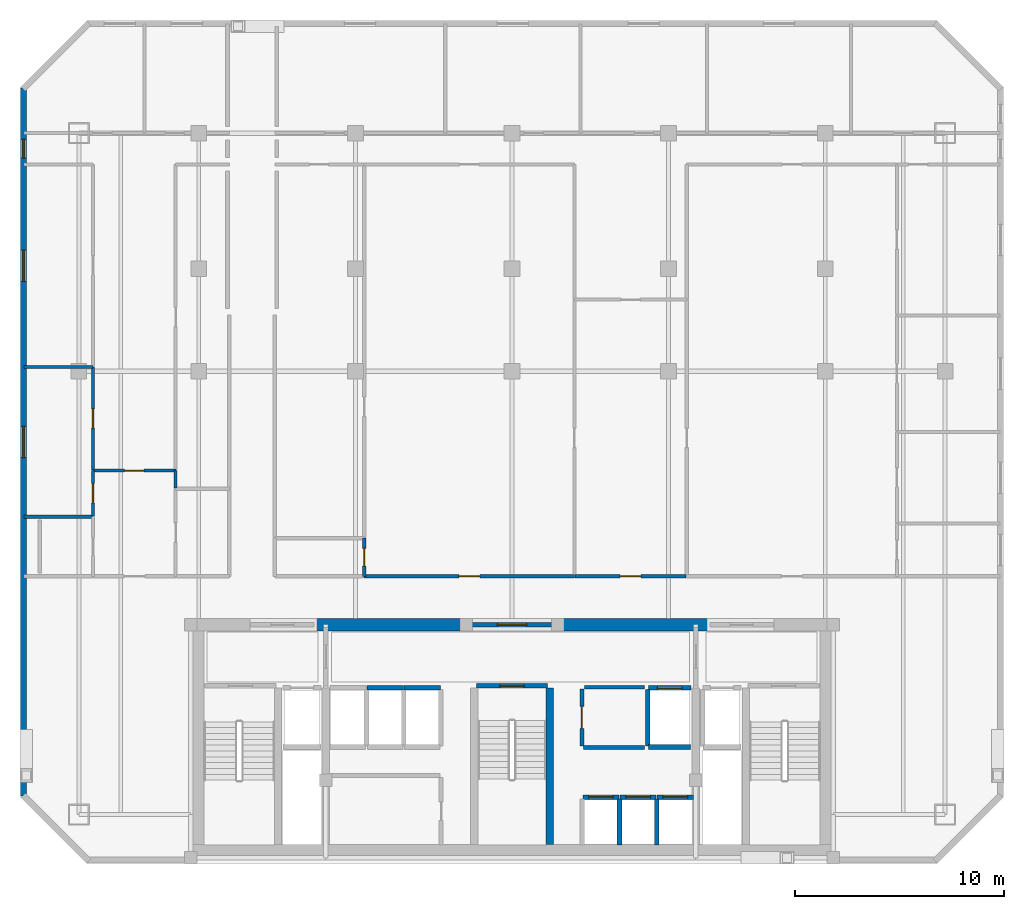
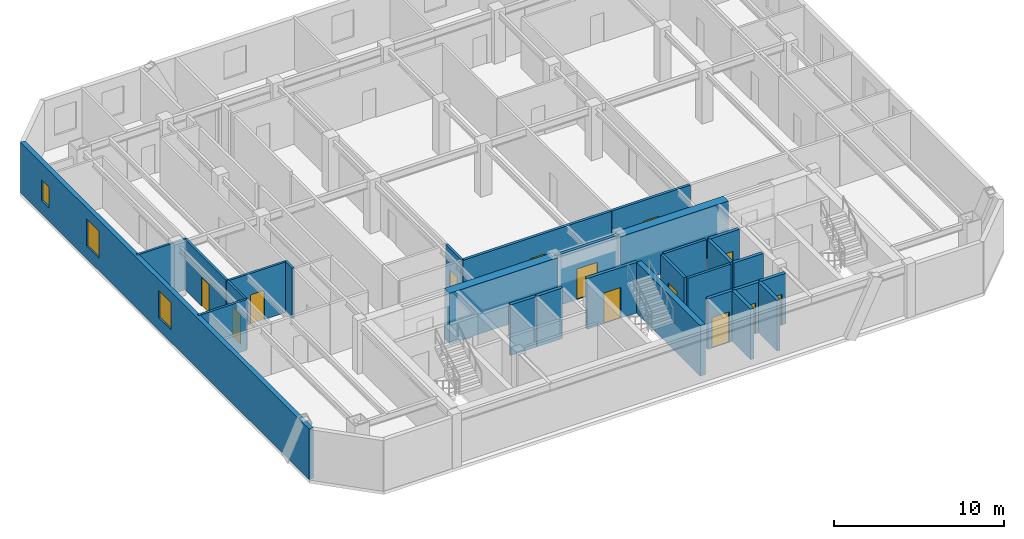
# One storey, part 3 of 7: 28 walls, 13 doors, 3 windows, 16 openings.
"""IFC4 building model written with IfcOpenShell, lengths in metres."""

from ifc_helpers import new_model, si_unit, direction, frame, frame_2d, origin, place, context, subcontext, project, spatial, rectangle, extrude, material, layer, layer_set, type_object, element, fill, save


model = new_model("IFC4")

# Units and contexts
model_context = context("Model", 3, precision=1e-05, world=origin(), true_north=direction((0.0, 1.0)))
body_context = subcontext(model_context, "Body", "Model", "MODEL_VIEW")
ifc_project = project(units=[si_unit("LENGTHUNIT", "METRE"), si_unit("AREAUNIT", "SQUARE_METRE"), si_unit("VOLUMEUNIT", "CUBIC_METRE"), si_unit("PLANEANGLEUNIT", "RADIAN"), si_unit("MASSUNIT", "GRAM", prefix="KILO")], contexts=[model_context])

# Site, building, storey
site_placement = place(None, origin())
site = spatial("IfcSite", under=ifc_project, at=site_placement, CompositionType="ELEMENT")
building_placement = place(site_placement, origin())
building = spatial("IfcBuilding", under=site, at=building_placement, Name="Ventersveld Concourse Tower", CompositionType="ELEMENT")
storey_placement = place(building_placement, frame((0.0, 0.0, 211.85009765625)))
storey = spatial("IfcBuildingStorey", under=building, at=storey_placement, Name="L52", CompositionType="ELEMENT", Elevation=211.85009765625)

# Walls
ifc_material_1 = material(Name="Concrete C50/60", Category="concrete")
ifc_layer_1 = layer(ifc_material_1, 0.35009765625)
ifc_layer_set_1 = layer_set([ifc_layer_1], Name="Concrete C50/60")
wall_type_1 = type_object("IfcWallType", Name="WL-CORE-350U", PredefinedType="SHEAR", material=ifc_layer_set_1)
wall_1_placement = place(storey_placement, frame((30.56005859375, 0.919921875, 0.0), z_axis=(0.0, 0.0, 1.0), x_axis=(0.0, 1.0, 0.0)))
element("IfcWall", 1, at=wall_1_placement, inside=storey, type_object=wall_type_1, Name="L52 Core Internal Shear Web W-ST3-E", PredefinedType="SHEAR", context=body_context, shape_type="SweptSolid", body=[
    extrude(rectangle(XDim=7.5, YDim=0.35009765625, at=frame_2d((3.75, 0.0))), origin(), (0.0, 0.0, 1.0), 3.6298828125),
])
ifc_layer_2 = layer(ifc_material_1, 0.60009765625)
ifc_layer_set_2 = layer_set([ifc_layer_2], Name="Concrete C50/60")
wall_type_2 = type_object("IfcWallType", Name="WL-CORE-600", PredefinedType="SHEAR", material=ifc_layer_set_2)
for number, where, z_axis, x_axis, name in (
    (2, (19.300048828125, 11.449951171875, 0.0), (0.0, 0.0, 1.0), (1.0, 0.0, 0.0), "L52 Rear Core North Shear Wall NML"),
    (3, (30.89990234375, 11.449951171875, 0.0), (0.0, 0.0, 1.0), (1.0, 0.0, 0.0), "L52 Rear Core North Shear Wall NMR"),
):
    element("IfcWall", number, at=place(storey_placement, frame(where, z_axis=z_axis, x_axis=x_axis)), inside=storey, type_object=wall_type_2, Name=name, PredefinedType="SHEAR", context=body_context, shape_type="SweptSolid", body=[
        extrude(rectangle(XDim=7.300048828125, YDim=0.60009765625, at=frame_2d((3.64990234375, 0.0))), origin(), (0.0, 0.0, 1.0), 3.6298828125),
    ])

# Wall, opening, door
ifc_material_2 = material(Name="Fire-rated autoclaved aerated masonry blockwork", Category="masonry")
ifc_layer_3 = layer(ifc_material_2, 0.179931640625)
ifc_layer_set_3 = layer_set([ifc_layer_3], Name="Fire-rated autoclaved aerated masonry blockwork")
wall_type_3 = type_object("IfcWallType", Name="WL-CORR-180", PredefinedType="PARTITIONING", material=ifc_layer_set_3)
wall_2_placement = place(storey_placement, frame((32.10009765625, 5.64990234375, 0.0), z_axis=(0.0, 0.0, 1.0), x_axis=(0.0, 1.0, 0.0)))
wall_2 = element("IfcWall", 4, at=wall_2_placement, inside=storey, type_object=wall_type_3, Name="L52 Core Passage Wall SP-L52-CBAY1", PredefinedType="PARTITIONING", context=body_context, shape_type="SweptSolid", body=[
    extrude(rectangle(XDim=2.72998046875, YDim=0.179931640625, at=frame_2d((1.364990234375, 0.0))), origin(), (0.0, 0.0, 1.0), 3.6298828125),
])
opening_1_placement = place(wall_2_placement, frame((0.840087890625, 0.0, 0.0)))
opening_1 = element("IfcOpeningElement", 5, at=opening_1_placement, cuts=wall_2, Name="Opening ID3", PredefinedType="OPENING", context=body_context, shape_type="SweptSolid", body=[
    extrude(rectangle(XDim=1.050048828125, YDim=2.14990234375, at=frame_2d((0.52490234375, 1.074951171875))), frame((0.0, 0.10009765625, 0.0), z_axis=(0.0, -1.0, 0.0), x_axis=(1.0, 0.0, 0.0)), (0.0, 0.0, 1.0), 0.199951171875),
])
ifc_material_3 = material(Name="Solid-core hardwood veneer timber", Category="wood")
door_type_1 = type_object("IfcDoorType", Name="DR-AWC-105", OperationType="NOTDEFINED", PredefinedType="DOOR", material=ifc_material_3)
door_1_placement = place(opening_1_placement, origin())
door_1 = element("IfcDoor", 6, at=door_1_placement, inside=storey, type_object=door_type_1, Name="L52 Core Room Door L52 Core Unisex Accessible WC (CD-L52-2521)", OperationType="SINGLE_SWING_RIGHT", OverallHeight=2.14990234375, OverallWidth=1.050048828125, PredefinedType="DOOR", context=body_context, shape_type="SweptSolid", body=[
    extrude(rectangle(XDim=1.050048828125, YDim=2.14990234375, at=frame_2d((0.52490234375, 1.074951171875))), frame((0.0, 0.02490234375, 0.0), z_axis=(0.0, -1.0, 0.0), x_axis=(1.0, 0.0, 0.0)), (0.0, 0.0, 1.0), 0.050048828125),
])
fill(opening_1, door_1)

# Walls
wall_3_placement = place(storey_placement, frame((32.219970703125, 8.4599609375, 0.0), z_axis=(0.0, 0.0, 1.0), x_axis=(1.0, 0.0, 0.0)))
element("IfcWall", 7, at=wall_3_placement, inside=storey, type_object=wall_type_3, Name="L52 Core Top Wall SP-L52-CBAY1", PredefinedType="PARTITIONING", context=body_context, shape_type="SweptSolid", body=[
    extrude(rectangle(XDim=2.880126953125, YDim=0.179931640625, at=frame_2d((1.43994140625, 0.0))), origin(), (0.0, 0.0, 1.0), 3.6298828125),
])
wall_4_placement = place(storey_placement, frame((32.179931640625, 5.570068359375, 0.0), z_axis=(0.0, 0.0, 1.0), x_axis=(1.0, 0.0, 0.0)))
element("IfcWall", 8, at=wall_4_placement, inside=storey, type_object=wall_type_3, Name="L52 Core Bot Wall SP-L52-CBAY1", PredefinedType="PARTITIONING", context=body_context, shape_type="SweptSolid", body=[
    extrude(rectangle(XDim=2.920166015625, YDim=0.179931640625, at=frame_2d((1.4599609375, 0.0))), origin(), (0.0, 0.0, 1.0), 3.6298828125),
])

# Wall, opening, door
wall_5_placement = place(storey_placement, frame((21.6650390625, 13.77001953125, 0.0), z_axis=(0.0, 0.0, 1.0), x_axis=(1.0, 0.0, 0.0)))
wall_5 = element("IfcWall", 9, at=wall_5_placement, inside=storey, type_object=wall_type_3, Name="L52 Interior Partition SP-L52-COR-SP-L52-52N1-WGAL1", PredefinedType="PARTITIONING", context=body_context, shape_type="SweptSolid", body=[
    extrude(rectangle(XDim=10.080078125, YDim=0.179931640625, at=frame_2d((5.0400390625, 0.0))), origin(), (0.0, 0.0, 1.0), 3.6298828125),
])
opening_2_placement = place(wall_5_placement, frame((4.5400390625, 0.0, 0.0)))
opening_2 = element("IfcOpeningElement", 10, at=opening_2_placement, cuts=wall_5, Name="Opening FD3", PredefinedType="OPENING", context=body_context, shape_type="SweptSolid", body=[
    extrude(rectangle(XDim=1.0, YDim=2.14990234375, at=frame_2d((0.5, 1.074951171875))), frame((0.0, 0.10009765625, 0.0), z_axis=(0.0, -1.0, 0.0), x_axis=(1.0, 0.0, 0.0)), (0.0, 0.0, 1.0), 0.199951171875),
])
door_type_2 = type_object("IfcDoorType", Name="DR-FLAT-100", OperationType="NOTDEFINED", PredefinedType="DOOR", material=ifc_material_3)
door_2_placement = place(opening_2_placement, origin())
door_2 = element("IfcDoor", 11, at=door_2_placement, inside=storey, type_object=door_type_2, Name="L52 Interior Door SP-L52-COR to SP-L52-52N1-WGAL1 (FD-L52-2523)", OperationType="SINGLE_SWING_LEFT", OverallHeight=2.14990234375, OverallWidth=1.0, PredefinedType="DOOR", context=body_context, shape_type="SweptSolid", body=[
    extrude(rectangle(XDim=1.0, YDim=2.14990234375, at=frame_2d((0.5, 1.074951171875))), frame((0.0, 0.02490234375, 0.0), z_axis=(0.0, -1.0, 0.0), x_axis=(1.0, 0.0, 0.0)), (0.0, 0.0, 1.0), 0.050048828125),
])
fill(opening_2, door_2)

wall_6_placement = place(storey_placement, frame((31.77490234375, 13.77001953125, 0.0), z_axis=(0.0, 0.0, 1.0), x_axis=(1.0, 0.0, 0.0)))
wall_6 = element("IfcWall", 12, at=wall_6_placement, inside=storey, type_object=wall_type_3, Name="L52 Interior Partition SP-L52-COR-SP-L52-52N1-FOY", PredefinedType="PARTITIONING", context=body_context, shape_type="SweptSolid", body=[
    extrude(rectangle(XDim=5.31005859375, YDim=0.179931640625, at=frame_2d((2.655029296875, 0.0))), origin(), (0.0, 0.0, 1.0), 3.6298828125),
])
opening_3_placement = place(wall_6_placement, frame((2.155029296875, 0.0, 0.0)))
opening_3 = element("IfcOpeningElement", 13, at=opening_3_placement, cuts=wall_6, Name="Opening FD3", PredefinedType="OPENING", context=body_context, shape_type="SweptSolid", body=[
    extrude(rectangle(XDim=1.0, YDim=2.14990234375, at=frame_2d((0.5, 1.074951171875))), frame((0.0, 0.10009765625, 0.0), z_axis=(0.0, -1.0, 0.0), x_axis=(1.0, 0.0, 0.0)), (0.0, 0.0, 1.0), 0.199951171875),
])
door_3_placement = place(opening_3_placement, origin())
door_3 = element("IfcDoor", 14, at=door_3_placement, inside=storey, type_object=door_type_2, Name="L52 Interior Door SP-L52-COR to SP-L52-52N1-FOY (FD-L52-2525)", OperationType="SINGLE_SWING_LEFT", OverallHeight=2.14990234375, OverallWidth=1.0, PredefinedType="DOOR", context=body_context, shape_type="SweptSolid", body=[
    extrude(rectangle(XDim=1.0, YDim=2.14990234375, at=frame_2d((0.5, 1.074951171875))), frame((0.0, 0.02490234375, 0.0), z_axis=(0.0, -1.0, 0.0), x_axis=(1.0, 0.0, 0.0)), (0.0, 0.0, 1.0), 0.050048828125),
])
fill(opening_3, door_3)

# Walls
ifc_layer_4 = layer(ifc_material_2, 0.219970703125)
ifc_layer_set_4 = layer_set([ifc_layer_4], Name="Fire-rated autoclaved aerated masonry blockwork")
wall_type_4 = type_object("IfcWallType", Name="WL-HOIST-220", PredefinedType="SOLIDWALL", material=ifc_layer_set_4)
wall_7_placement = place(storey_placement, frame((35.300048828125, 5.590087890625, 0.0), z_axis=(0.0, 0.0, 1.0), x_axis=(1.0, 0.0, 0.0)))
element("IfcWall", 15, at=wall_7_placement, inside=storey, type_object=wall_type_4, Name="L52 Lift Hoistway Back Wall SVL-01", PredefinedType="SOLIDWALL", context=body_context, shape_type="SweptSolid", body=[
    extrude(rectangle(XDim=2.0, YDim=0.219970703125, at=frame_2d((1.0, 0.0))), origin(), (0.0, 0.0, 1.0), 3.6298828125),
])
wall_8_placement = place(storey_placement, frame((35.260009765625, 5.64990234375, 0.0), z_axis=(0.0, 0.0, 1.0), x_axis=(0.0, 1.0, 0.0)))
element("IfcWall", 16, at=wall_8_placement, inside=storey, type_object=wall_type_4, Name="L52 Lift Hoistway Side Wall SVL-01W", PredefinedType="SOLIDWALL", context=body_context, shape_type="SweptSolid", body=[
    extrude(rectangle(XDim=2.7001953125, YDim=0.219970703125, at=frame_2d((1.35009765625, 0.0))), origin(), (0.0, 0.0, 1.0), 3.6298828125),
])

# Wall, opening, door
wall_9_placement = place(storey_placement, frame((35.280029296875, 8.429931640625, 0.0), z_axis=(0.0, 0.0, 1.0), x_axis=(1.0, 0.0, 0.0)))
wall_9 = element("IfcWall", 17, at=wall_9_placement, inside=storey, type_object=wall_type_4, Name="L52 Lift Hoistway Front Wall SVL-01", PredefinedType="SOLIDWALL", context=body_context, shape_type="SweptSolid", body=[
    extrude(rectangle(XDim=2.0400390625, YDim=0.219970703125, at=frame_2d((1.02001953125, 0.0))), origin(), (0.0, 0.0, 1.0), 3.6298828125),
])
opening_4_placement = place(wall_9_placement, frame((0.429931640625, 0.0, 0.0)))
opening_4 = element("IfcOpeningElement", 18, at=opening_4_placement, cuts=wall_9, Name="Opening LD2", PredefinedType="OPENING", context=body_context, shape_type="SweptSolid", body=[
    extrude(rectangle(XDim=1.179931640625, YDim=2.199951171875, at=frame_2d((0.58984375, 1.10009765625))), frame((0.0, 0.1201171875, 0.0), z_axis=(0.0, -1.0, 0.0), x_axis=(1.0, 0.0, 0.0)), (0.0, 0.0, 1.0), 0.239990234375),
])
ifc_material_4 = material(Name="Brushed stainless steel 316", Category="steel")
door_type_3 = type_object("IfcDoorType", Name="LD-PAX-118", OperationType="SLIDING_TO_LEFT", PredefinedType="DOOR", material=ifc_material_4)
door_4_placement = place(opening_4_placement, origin())
door_4 = element("IfcDoor", 19, at=door_4_placement, inside=storey, type_object=door_type_3, Name="L52 Lift landing door SVL-01 (LD-L52-SVL-01)", OperationType="SLIDING_TO_LEFT", OverallHeight=2.199951171875, OverallWidth=1.179931640625, PredefinedType="DOOR", context=body_context, shape_type="SweptSolid", body=[
    extrude(rectangle(XDim=1.179931640625, YDim=2.199951171875, at=frame_2d((0.58984375, 1.10009765625))), frame((0.0, 0.02490234375, 0.0), z_axis=(0.0, -1.0, 0.0), x_axis=(1.0, 0.0, 0.0)), (0.0, 0.0, 1.0), 0.050048828125),
])
fill(opening_4, door_4)

# Wall
wall_10_placement = place(storey_placement, frame((33.89990234375, 0.89990234375, 0.0), z_axis=(0.0, 0.0, 1.0), x_axis=(0.0, 1.0, 0.0)))
element("IfcWall", 20, at=wall_10_placement, inside=storey, type_object=wall_type_4, Name="L52 Lift Hoistway Side Wall PM-01E", PredefinedType="SOLIDWALL", context=body_context, shape_type="SweptSolid", body=[
    extrude(rectangle(XDim=2.2001953125, YDim=0.219970703125, at=frame_2d((1.10009765625, 0.0))), origin(), (0.0, 0.0, 1.0), 3.6298828125),
])

# Wall, opening, door
wall_11_placement = place(storey_placement, frame((32.139892578125, 3.179931640625, 0.0), z_axis=(0.0, 0.0, 1.0), x_axis=(1.0, 0.0, 0.0)))
wall_11 = element("IfcWall", 21, at=wall_11_placement, inside=storey, type_object=wall_type_4, Name="L52 Lift Hoistway Front Wall PM-01", PredefinedType="SOLIDWALL", context=body_context, shape_type="SweptSolid", body=[
    extrude(rectangle(XDim=1.739990234375, YDim=0.219970703125, at=frame_2d((0.8701171875, 0.0))), origin(), (0.0, 0.0, 1.0), 3.6298828125),
])
opening_5_placement = place(wall_11_placement, frame((0.280029296875, 0.0, 0.0)))
opening_5 = element("IfcOpeningElement", 22, at=opening_5_placement, cuts=wall_11, Name="Opening LD2", PredefinedType="OPENING", context=body_context, shape_type="SweptSolid", body=[
    extrude(rectangle(XDim=1.179931640625, YDim=2.199951171875, at=frame_2d((0.58984375, 1.10009765625))), frame((0.0, 0.1201171875, 0.0), z_axis=(0.0, -1.0, 0.0), x_axis=(1.0, 0.0, 0.0)), (0.0, 0.0, 1.0), 0.239990234375),
])
door_5_placement = place(opening_5_placement, origin())
door_5 = element("IfcDoor", 23, at=door_5_placement, inside=storey, type_object=door_type_3, Name="L52 Lift landing door PM-01 (LD-L52-PM-01)", OperationType="SLIDING_TO_RIGHT", OverallHeight=2.199951171875, OverallWidth=1.179931640625, PredefinedType="DOOR", context=body_context, shape_type="SweptSolid", body=[
    extrude(rectangle(XDim=1.179931640625, YDim=2.199951171875, at=frame_2d((0.58984375, 1.10009765625))), frame((0.0, 0.02490234375, 0.0), z_axis=(0.0, -1.0, 0.0), x_axis=(1.0, 0.0, 0.0)), (0.0, 0.0, 1.0), 0.050048828125),
])
fill(opening_5, door_5)

# Wall
wall_12_placement = place(storey_placement, frame((35.679931640625, 0.89990234375, 0.0), z_axis=(0.0, 0.0, 1.0), x_axis=(0.0, 1.0, 0.0)))
element("IfcWall", 24, at=wall_12_placement, inside=storey, type_object=wall_type_4, Name="L52 Lift Hoistway Side Wall PM-02E", PredefinedType="SOLIDWALL", context=body_context, shape_type="SweptSolid", body=[
    extrude(rectangle(XDim=2.2001953125, YDim=0.219970703125, at=frame_2d((1.10009765625, 0.0))), origin(), (0.0, 0.0, 1.0), 3.6298828125),
])

# Wall, opening, door
wall_13_placement = place(storey_placement, frame((33.919921875, 3.179931640625, 0.0), z_axis=(0.0, 0.0, 1.0), x_axis=(1.0, 0.0, 0.0)))
wall_13 = element("IfcWall", 25, at=wall_13_placement, inside=storey, type_object=wall_type_4, Name="L52 Lift Hoistway Front Wall PM-02", PredefinedType="SOLIDWALL", context=body_context, shape_type="SweptSolid", body=[
    extrude(rectangle(XDim=1.739990234375, YDim=0.219970703125, at=frame_2d((0.8701171875, 0.0))), origin(), (0.0, 0.0, 1.0), 3.6298828125),
])
opening_6_placement = place(wall_13_placement, frame((0.280029296875, 0.0, 0.0)))
opening_6 = element("IfcOpeningElement", 26, at=opening_6_placement, cuts=wall_13, Name="Opening LD2", PredefinedType="OPENING", context=body_context, shape_type="SweptSolid", body=[
    extrude(rectangle(XDim=1.179931640625, YDim=2.199951171875, at=frame_2d((0.58984375, 1.10009765625))), frame((0.0, 0.1201171875, 0.0), z_axis=(0.0, -1.0, 0.0), x_axis=(1.0, 0.0, 0.0)), (0.0, 0.0, 1.0), 0.239990234375),
])
door_6_placement = place(opening_6_placement, origin())
door_6 = element("IfcDoor", 27, at=door_6_placement, inside=storey, type_object=door_type_3, Name="L52 Lift landing door PM-02 (LD-L52-PM-02)", OperationType="SLIDING_TO_LEFT", OverallHeight=2.199951171875, OverallWidth=1.179931640625, PredefinedType="DOOR", context=body_context, shape_type="SweptSolid", body=[
    extrude(rectangle(XDim=1.179931640625, YDim=2.199951171875, at=frame_2d((0.58984375, 1.10009765625))), frame((0.0, 0.02490234375, 0.0), z_axis=(0.0, -1.0, 0.0), x_axis=(1.0, 0.0, 0.0)), (0.0, 0.0, 1.0), 0.050048828125),
])
fill(opening_6, door_6)

wall_14_placement = place(storey_placement, frame((35.699951171875, 3.179931640625, 0.0), z_axis=(0.0, 0.0, 1.0), x_axis=(1.0, 0.0, 0.0)))
wall_14 = element("IfcWall", 28, at=wall_14_placement, inside=storey, type_object=wall_type_4, Name="L52 Lift Hoistway Front Wall PM-03", PredefinedType="SOLIDWALL", context=body_context, shape_type="SweptSolid", body=[
    extrude(rectangle(XDim=1.739990234375, YDim=0.219970703125, at=frame_2d((0.8701171875, 0.0))), origin(), (0.0, 0.0, 1.0), 3.6298828125),
])
opening_7_placement = place(wall_14_placement, frame((0.280029296875, 0.0, 0.0)))
opening_7 = element("IfcOpeningElement", 29, at=opening_7_placement, cuts=wall_14, Name="Opening LD2", PredefinedType="OPENING", context=body_context, shape_type="SweptSolid", body=[
    extrude(rectangle(XDim=1.179931640625, YDim=2.199951171875, at=frame_2d((0.58984375, 1.10009765625))), frame((0.0, 0.1201171875, 0.0), z_axis=(0.0, -1.0, 0.0), x_axis=(1.0, 0.0, 0.0)), (0.0, 0.0, 1.0), 0.239990234375),
])
door_7_placement = place(opening_7_placement, origin())
door_7 = element("IfcDoor", 30, at=door_7_placement, inside=storey, type_object=door_type_3, Name="L52 Lift landing door PM-03 (LD-L52-PM-03)", OperationType="SLIDING_TO_RIGHT", OverallHeight=2.199951171875, OverallWidth=1.179931640625, PredefinedType="DOOR", context=body_context, shape_type="SweptSolid", body=[
    extrude(rectangle(XDim=1.179931640625, YDim=2.199951171875, at=frame_2d((0.58984375, 1.10009765625))), frame((0.0, 0.02490234375, 0.0), z_axis=(0.0, -1.0, 0.0), x_axis=(1.0, 0.0, 0.0)), (0.0, 0.0, 1.0), 0.050048828125),
])
fill(opening_7, door_7)

# Walls
for number, where, z_axis, x_axis, name in (
    (31, (21.800048828125, 8.429931640625, 0.0), (0.0, 0.0, 1.0), (1.0, 0.0, 0.0), "L52 Lift Hoistway Front Wall PH-02"),
    (32, (23.580078125, 8.429931640625, 0.0), (0.0, 0.0, 1.0), (1.0, 0.0, 0.0), "L52 Lift Hoistway Front Wall PH-03"),
):
    element("IfcWall", number, at=place(storey_placement, frame(where, z_axis=z_axis, x_axis=x_axis)), inside=storey, type_object=wall_type_4, Name=name, PredefinedType="SOLIDWALL", context=body_context, shape_type="SweptSolid", body=[
        extrude(rectangle(XDim=1.739990234375, YDim=0.219970703125, at=frame_2d((0.8701171875, 0.0))), origin(), (0.0, 0.0, 1.0), 3.6298828125),
    ])

# Wall, opening, door
wall_15_placement = place(storey_placement, frame((27.0400390625, 8.52001953125, 0.0), z_axis=(0.0, 0.0, 1.0), x_axis=(1.0, 0.0, 0.0)))
wall_15 = element("IfcWall", 33, at=wall_15_placement, inside=storey, type_object=wall_type_4, Name="L52 Escape Stair ST03 Fire Wall", PredefinedType="SOLIDWALL", context=body_context, shape_type="SweptSolid", body=[
    extrude(rectangle(XDim=3.419921875, YDim=0.219970703125, at=frame_2d((1.7099609375, 0.0))), origin(), (0.0, 0.0, 1.0), 3.6298828125),
])
opening_8_placement = place(wall_15_placement, frame((1.135009765625, 0.0, 0.0)))
opening_8 = element("IfcOpeningElement", 34, at=opening_8_placement, cuts=wall_15, Name="Opening FD1", PredefinedType="OPENING", context=body_context, shape_type="SweptSolid", body=[
    extrude(rectangle(XDim=1.14990234375, YDim=2.199951171875, at=frame_2d((0.574951171875, 1.10009765625))), frame((0.0, 0.1201171875, 0.0), z_axis=(0.0, -1.0, 0.0), x_axis=(1.0, 0.0, 0.0)), (0.0, 0.0, 1.0), 0.239990234375),
])
ifc_material_5 = material(Name="Galvanised painted steel", Category="steel")
door_type_4 = type_object("IfcDoorType", Name="DR-STAIR-115", OperationType="NOTDEFINED", PredefinedType="DOOR", material=ifc_material_5)
door_8_placement = place(opening_8_placement, origin())
door_8 = element("IfcDoor", 35, at=door_8_placement, inside=storey, type_object=door_type_4, Name="L52 Escape Stair Door ST03 (SD-L52-2514)", OperationType="SINGLE_SWING_LEFT", OverallHeight=2.199951171875, OverallWidth=1.14990234375, PredefinedType="DOOR", context=body_context, shape_type="SweptSolid", body=[
    extrude(rectangle(XDim=1.14990234375, YDim=2.199951171875, at=frame_2d((0.574951171875, 1.10009765625))), frame((0.0, 0.02490234375, 0.0), z_axis=(0.0, -1.0, 0.0), x_axis=(1.0, 0.0, 0.0)), (0.0, 0.0, 1.0), 0.050048828125),
])
fill(opening_8, door_8)

wall_16_placement = place(storey_placement, frame((26.6298828125, 11.449951171875, 0.0), z_axis=(0.0, 0.0, 1.0), x_axis=(1.0, 0.0, 0.0)))
wall_16 = element("IfcWall", 36, at=wall_16_placement, inside=storey, type_object=wall_type_4, Name="L52 Core North Fire Portal PLOB-OUT", PredefinedType="SOLIDWALL", context=body_context, shape_type="SweptSolid", body=[
    extrude(rectangle(XDim=4.240234375, YDim=0.219970703125, at=frame_2d((2.1201171875, 0.0))), origin(), (0.0, 0.0, 1.0), 3.6298828125),
])
opening_9_placement = place(wall_16_placement, frame((1.419921875, 0.0, 0.0)))
opening_9 = element("IfcOpeningElement", 37, at=opening_9_placement, cuts=wall_16, Name="Opening FD4", PredefinedType="OPENING", context=body_context, shape_type="SweptSolid", body=[
    extrude(rectangle(XDim=1.39990234375, YDim=2.199951171875, at=frame_2d((0.699951171875, 1.10009765625))), frame((0.0, 0.1201171875, 0.0), z_axis=(0.0, -1.0, 0.0), x_axis=(1.0, 0.0, 0.0)), (0.0, 0.0, 1.0), 0.239990234375),
])
door_type_5 = type_object("IfcDoorType", Name="DR-PLANT-140", OperationType="DOUBLE_DOOR_SINGLE_SWING", PredefinedType="DOOR", material=ifc_material_5)
door_9_placement = place(opening_9_placement, origin())
door_9 = element("IfcDoor", 38, at=door_9_placement, inside=storey, type_object=door_type_5, Name="L52 Core Lobby Fire Door PLOB-OUT (FD-L52-2518)", OperationType="DOUBLE_DOOR_SINGLE_SWING", OverallHeight=2.199951171875, OverallWidth=1.39990234375, PredefinedType="DOOR", context=body_context, shape_type="SweptSolid", body=[
    extrude(rectangle(XDim=1.39990234375, YDim=2.199951171875, at=frame_2d((0.699951171875, 1.10009765625))), frame((0.0, 0.02490234375, 0.0), z_axis=(0.0, -1.0, 0.0), x_axis=(1.0, 0.0, 0.0)), (0.0, 0.0, 1.0), 0.050048828125),
])
fill(opening_9, door_9)

ifc_material_6 = material(Name="Autoclaved aerated masonry blockwork", Category="masonry")
ifc_layer_5 = layer(ifc_material_6, 0.14990234375)
ifc_layer_set_5 = layer_set([ifc_layer_5], Name="Autoclaved aerated masonry blockwork")
wall_type_5 = type_object("IfcWallType", Name="WL-INT-150", PredefinedType="PARTITIONING", material=ifc_layer_set_5)
wall_17_placement = place(storey_placement, frame((8.67236328125, 18.83349609375, 0.0), z_axis=(0.0, 0.0, 1.0), x_axis=(1.0, 0.0, 0.0)))
wall_17 = element("IfcWall", 39, at=wall_17_placement, inside=storey, type_object=wall_type_5, Name="L52 Interior Partition SP-L52-52NW-FOY-SP-L52-52NW-LIV", PredefinedType="PARTITIONING", context=body_context, shape_type="SweptSolid", body=[
    extrude(rectangle(XDim=3.969970703125, YDim=0.14990234375, at=frame_2d((1.98486328125, 0.0))), origin(), (0.0, 0.0, 1.0), 3.6298828125),
])
opening_10_placement = place(wall_17_placement, frame((1.52490234375, 0.0, 0.0)))
opening_10 = element("IfcOpeningElement", 40, at=opening_10_placement, cuts=wall_17, Name="Opening ID1", PredefinedType="OPENING", context=body_context, shape_type="SweptSolid", body=[
    extrude(rectangle(XDim=0.919921875, YDim=2.10009765625, at=frame_2d((0.4599609375, 1.050048828125))), frame((0.0, 0.0849609375, 0.0), z_axis=(0.0, -1.0, 0.0), x_axis=(1.0, 0.0, 0.0)), (0.0, 0.0, 1.0), 0.169921875),
])
door_type_6 = type_object("IfcDoorType", Name="DR-ROOM-092", OperationType="NOTDEFINED", PredefinedType="DOOR", material=ifc_material_3)
door_10_placement = place(opening_10_placement, origin())
door_10 = element("IfcDoor", 41, at=door_10_placement, inside=storey, type_object=door_type_6, Name="L52 Interior Door SP-L52-52NW-FOY to SP-L52-52NW-LIV (D-L52-2526)", OperationType="SINGLE_SWING_RIGHT", OverallHeight=2.10009765625, OverallWidth=0.919921875, PredefinedType="DOOR", context=body_context, shape_type="SweptSolid", body=[
    extrude(rectangle(XDim=0.919921875, YDim=2.10009765625, at=frame_2d((0.4599609375, 1.050048828125))), frame((0.0, 0.02490234375, 0.0), z_axis=(0.0, -1.0, 0.0), x_axis=(1.0, 0.0, 0.0)), (0.0, 0.0, 1.0), 0.050048828125),
])
fill(opening_10, door_10)

wall_18_placement = place(storey_placement, frame((8.677490234375, 16.659912109375, 0.0), z_axis=(0.0, 0.0, 1.0), x_axis=(0.0, 1.0, 0.0)))
wall_18 = element("IfcWall", 42, at=wall_18_placement, inside=storey, type_object=wall_type_5, Name="L52 Interior Partition SP-L52-52NW-FOY-SP-L52-52NW-OFFL0", PredefinedType="PARTITIONING", context=body_context, shape_type="SweptSolid", body=[
    extrude(rectangle(XDim=2.178466796875, YDim=0.14990234375, at=frame_2d((1.08935546875, 0.0))), origin(), (0.0, 0.0, 1.0), 3.6298828125),
])
opening_11_placement = place(wall_18_placement, frame((0.629150390625, 0.0, 0.0)))
opening_11 = element("IfcOpeningElement", 43, at=opening_11_placement, cuts=wall_18, Name="Opening ID1", PredefinedType="OPENING", context=body_context, shape_type="SweptSolid", body=[
    extrude(rectangle(XDim=0.919921875, YDim=2.10009765625, at=frame_2d((0.4599609375, 1.050048828125))), frame((0.0, 0.0849609375, 0.0), z_axis=(0.0, -1.0, 0.0), x_axis=(1.0, 0.0, 0.0)), (0.0, 0.0, 1.0), 0.169921875),
])
door_11_placement = place(opening_11_placement, origin())
door_11 = element("IfcDoor", 44, at=door_11_placement, inside=storey, type_object=door_type_6, Name="L52 Interior Door SP-L52-52NW-FOY to SP-L52-52NW-OFFL0 (D-L52-2528)", OperationType="SINGLE_SWING_RIGHT", OverallHeight=2.10009765625, OverallWidth=0.919921875, PredefinedType="DOOR", context=body_context, shape_type="SweptSolid", body=[
    extrude(rectangle(XDim=0.919921875, YDim=2.10009765625, at=frame_2d((0.4599609375, 1.050048828125))), frame((0.0, 0.02490234375, 0.0), z_axis=(0.0, -1.0, 0.0), x_axis=(1.0, 0.0, 0.0)), (0.0, 0.0, 1.0), 0.050048828125),
])
fill(opening_11, door_11)

# Wall
wall_19_placement = place(storey_placement, frame((12.637451171875, 17.997314453125, 0.0), z_axis=(0.0, 0.0, 1.0), x_axis=(0.0, 1.0, 0.0)))
element("IfcWall", 45, at=wall_19_placement, inside=storey, type_object=wall_type_5, Name="L52 Interior Partition SP-L52-52NW-FOY-SP-L52-52NW-OFFR1", PredefinedType="PARTITIONING", context=body_context, shape_type="SweptSolid", body=[
    extrude(rectangle(XDim=0.841064453125, YDim=0.14990234375, at=frame_2d((0.42041015625, 0.0))), origin(), (0.0, 0.0, 1.0), 3.6298828125),
])

# Wall, opening, door
wall_20_placement = place(storey_placement, frame((8.677490234375, 18.868408203125, 0.0), z_axis=(0.0, 0.0, 1.0), x_axis=(0.0, 1.0, 0.0)))
wall_20 = element("IfcWall", 46, at=wall_20_placement, inside=storey, type_object=wall_type_5, Name="L52 Interior Partition SP-L52-52NW-LIV-SP-L52-52NW-OFFL0", PredefinedType="PARTITIONING", context=body_context, shape_type="SweptSolid", body=[
    extrude(rectangle(XDim=4.927978515625, YDim=0.14990234375, at=frame_2d((2.4638671875, 0.0))), origin(), (0.0, 0.0, 1.0), 3.6298828125),
])
opening_12_placement = place(wall_20_placement, frame((2.00390625, 0.0, 0.0)))
opening_12 = element("IfcOpeningElement", 47, at=opening_12_placement, cuts=wall_20, Name="Opening ID1", PredefinedType="OPENING", context=body_context, shape_type="SweptSolid", body=[
    extrude(rectangle(XDim=0.919921875, YDim=2.10009765625, at=frame_2d((0.4599609375, 1.050048828125))), frame((0.0, 0.0849609375, 0.0), z_axis=(0.0, -1.0, 0.0), x_axis=(1.0, 0.0, 0.0)), (0.0, 0.0, 1.0), 0.169921875),
])
door_12_placement = place(opening_12_placement, origin())
door_12 = element("IfcDoor", 48, at=door_12_placement, inside=storey, type_object=door_type_6, Name="L52 Interior Door SP-L52-52NW-LIV to SP-L52-52NW-OFFL0 (D-L52-2530)", OperationType="SINGLE_SWING_RIGHT", OverallHeight=2.10009765625, OverallWidth=0.919921875, PredefinedType="DOOR", context=body_context, shape_type="SweptSolid", body=[
    extrude(rectangle(XDim=0.919921875, YDim=2.10009765625, at=frame_2d((0.4599609375, 1.050048828125))), frame((0.0, 0.02490234375, 0.0), z_axis=(0.0, -1.0, 0.0), x_axis=(1.0, 0.0, 0.0)), (0.0, 0.0, 1.0), 0.050048828125),
])
fill(opening_12, door_12)

# Wall
wall_21_placement = place(storey_placement, frame((5.37255859375, 23.79150390625, 0.0), z_axis=(0.0, 0.0, 1.0), x_axis=(1.0, 0.0, 0.0)))
element("IfcWall", 49, at=wall_21_placement, inside=storey, type_object=wall_type_5, Name="L52 Interior Partition SP-L52-52NW-OFFL0-SP-L52-52NW-MEDL2", PredefinedType="PARTITIONING", context=body_context, shape_type="SweptSolid", body=[
    extrude(rectangle(XDim=3.309814453125, YDim=0.14990234375, at=frame_2d((1.65478515625, 0.0))), origin(), (0.0, 0.0, 1.0), 3.6298828125),
])

# Wall, openings, windows
ifc_material_7 = material(Name="Precast concrete C45/55", Category="concrete")
ifc_layer_6 = layer(ifc_material_7, 0.300048828125)
ifc_layer_set_6 = layer_set([ifc_layer_6], Name="Precast concrete C45/55")
wall_type_6 = type_object("IfcWallType", Name="WL-PREC-300", PredefinedType="SOLIDWALL", material=ifc_layer_set_6)
wall_22_placement = place(storey_placement, frame((5.35009765625, 37.159912109375, 0.0), z_axis=(0.0, 0.0, 1.0), x_axis=(0.0, -1.0, 0.0)))
wall_22 = element("IfcWall", 50, at=wall_22_placement, inside=storey, type_object=wall_type_6, Name="L52 Highveld Precast Facade Wall E07", PredefinedType="SOLIDWALL", context=body_context, shape_type="SweptSolid", body=[
    extrude(rectangle(XDim=33.919921875, YDim=0.300048828125, at=frame_2d((16.9599609375, 0.0))), origin(), (0.0, 0.0, 1.0), 3.6298828125),
])
opening_13_placement = place(wall_22_placement, frame((2.4599609375, 0.0, 0.949951171875)))
opening_13 = element("IfcOpeningElement", 51, at=opening_13_placement, cuts=wall_22, Name="Opening W4", PredefinedType="OPENING", context=body_context, shape_type="SweptSolid", body=[
    extrude(rectangle(XDim=0.89990234375, YDim=1.5, at=frame_2d((0.449951171875, 0.75))), frame((0.0, 0.16015625, 0.0), z_axis=(0.0, -1.0, 0.0), x_axis=(1.0, 0.0, 0.0)), (0.0, 0.0, 1.0), 0.320068359375),
])
opening_14_placement = place(wall_22_placement, frame((16.201904296875, 0.0, 0.89990234375)))
opening_14 = element("IfcOpeningElement", 52, at=opening_14_placement, cuts=wall_22, Name="Opening W1", PredefinedType="OPENING", context=body_context, shape_type="SweptSolid", body=[
    extrude(rectangle(XDim=1.5, YDim=1.949951171875, at=frame_2d((0.75, 0.97509765625))), frame((0.0, 0.16015625, 0.0), z_axis=(0.0, -1.0, 0.0), x_axis=(1.0, 0.0, 0.0)), (0.0, 0.0, 1.0), 0.320068359375),
])
opening_15_placement = place(wall_22_placement, frame((7.764404296875, 0.0, 0.89990234375)))
opening_15 = element("IfcOpeningElement", 53, at=opening_15_placement, cuts=wall_22, Name="Opening W1", PredefinedType="OPENING", context=body_context, shape_type="SweptSolid", body=[
    extrude(rectangle(XDim=1.5, YDim=1.949951171875, at=frame_2d((0.75, 0.97509765625))), frame((0.0, 0.16015625, 0.0), z_axis=(0.0, -1.0, 0.0), x_axis=(1.0, 0.0, 0.0)), (0.0, 0.0, 1.0), 0.320068359375),
])
ifc_material_8 = material(Name="Tempered acoustic Low-E IGU", Category="glass")
window_type_1 = type_object("IfcWindowType", Name="WIN-090x150", PartitioningType="SINGLE_PANEL", PredefinedType="WINDOW", material=ifc_material_8)
window_1_placement = place(opening_13_placement, origin())
window_1 = element("IfcWindow", 54, at=window_1_placement, inside=storey, type_object=window_type_1, Name="L52 Punched Low-E Window W-0731", OverallHeight=1.5, OverallWidth=0.89990234375, PartitioningType="SINGLE_PANEL", PredefinedType="WINDOW", context=body_context, shape_type="SweptSolid", body=[
    extrude(rectangle(XDim=0.89990234375, YDim=1.5, at=frame_2d((0.449951171875, 0.75))), frame((0.0, 0.030029296875, 0.0), z_axis=(0.0, -1.0, 0.0), x_axis=(1.0, 0.0, 0.0)), (0.0, 0.0, 1.0), 0.06005859375),
])
fill(opening_13, window_1)
window_type_2 = type_object("IfcWindowType", Name="WIN-150x210", PartitioningType="SINGLE_PANEL", PredefinedType="WINDOW", material=ifc_material_8)
window_2_placement = place(opening_14_placement, origin())
window_2 = element("IfcWindow", 55, at=window_2_placement, inside=storey, type_object=window_type_2, Name="L52 Punched Low-E Window W-0732", OverallHeight=1.949951171875, OverallWidth=1.5, PartitioningType="SINGLE_PANEL", PredefinedType="WINDOW", context=body_context, shape_type="SweptSolid", body=[
    extrude(rectangle(XDim=1.5, YDim=1.949951171875, at=frame_2d((0.75, 0.97509765625))), frame((0.0, 0.030029296875, 0.0), z_axis=(0.0, -1.0, 0.0), x_axis=(1.0, 0.0, 0.0)), (0.0, 0.0, 1.0), 0.06005859375),
])
fill(opening_14, window_2)
window_3_placement = place(opening_15_placement, origin())
window_3 = element("IfcWindow", 56, at=window_3_placement, inside=storey, type_object=window_type_2, Name="L52 Punched Low-E Window W-0733", OverallHeight=1.949951171875, OverallWidth=1.5, PartitioningType="SINGLE_PANEL", PredefinedType="WINDOW", context=body_context, shape_type="SweptSolid", body=[
    extrude(rectangle(XDim=1.5, YDim=1.949951171875, at=frame_2d((0.75, 0.97509765625))), frame((0.0, 0.030029296875, 0.0), z_axis=(0.0, -1.0, 0.0), x_axis=(1.0, 0.0, 0.0)), (0.0, 0.0, 1.0), 0.06005859375),
])
fill(opening_15, window_3)

# Wall
ifc_layer_7 = layer(ifc_material_6, 0.1650390625)
ifc_layer_set_7 = layer_set([ifc_layer_7], Name="Autoclaved aerated masonry blockwork")
wall_type_7 = type_object("IfcWallType", Name="WL-WET-165", PredefinedType="PLUMBINGWALL", material=ifc_layer_set_7)
wall_23_placement = place(storey_placement, frame((5.37255859375, 16.625, 0.0), z_axis=(0.0, 0.0, 1.0), x_axis=(1.0, 0.0, 0.0)))
element("IfcWall", 57, at=wall_23_placement, inside=storey, type_object=wall_type_7, Name="L52 Interior Partition SP-L52-52NW-BATH-SP-L52-52NW-OFFL0", PredefinedType="PLUMBINGWALL", context=body_context, shape_type="SweptSolid", body=[
    extrude(rectangle(XDim=3.309814453125, YDim=0.1650390625, at=frame_2d((1.65478515625, 0.0))), origin(), (0.0, 0.0, 1.0), 3.6298828125),
])

# Wall, opening, door
wall_24_placement = place(storey_placement, frame((21.669921875, 13.764892578125, 0.0), z_axis=(0.0, 0.0, 1.0), x_axis=(0.0, 1.0, 0.0)))
wall_24 = element("IfcWall", 58, at=wall_24_placement, inside=storey, type_object=wall_type_7, Name="L52 Interior Partition SP-L52-52N1-WGAL1-SP-L52-52N1-BATH", PredefinedType="PLUMBINGWALL", context=body_context, shape_type="SweptSolid", body=[
    extrude(rectangle(XDim=1.840087890625, YDim=0.1650390625, at=frame_2d((0.919921875, 0.0))), origin(), (0.0, 0.0, 1.0), 3.6298828125),
])
opening_16_placement = place(wall_24_placement, frame((0.4951171875, 0.0, 0.0)))
opening_16 = element("IfcOpeningElement", 59, at=opening_16_placement, cuts=wall_24, Name="Opening ID2", PredefinedType="OPENING", context=body_context, shape_type="SweptSolid", body=[
    extrude(rectangle(XDim=0.85009765625, YDim=2.10009765625, at=frame_2d((0.425048828125, 1.050048828125))), frame((0.0, 0.092529296875, 0.0), z_axis=(0.0, -1.0, 0.0), x_axis=(1.0, 0.0, 0.0)), (0.0, 0.0, 1.0), 0.18505859375),
])
door_type_7 = type_object("IfcDoorType", Name="DR-BATH-085", OperationType="NOTDEFINED", PredefinedType="DOOR", material=ifc_material_3)
door_13_placement = place(opening_16_placement, origin())
door_13 = element("IfcDoor", 60, at=door_13_placement, inside=storey, type_object=door_type_7, Name="L52 Interior Door SP-L52-52N1-WGAL1 to SP-L52-52N1-BATH (D-L52-2537)", OperationType="SINGLE_SWING_LEFT", OverallHeight=2.10009765625, OverallWidth=0.85009765625, PredefinedType="DOOR", context=body_context, shape_type="SweptSolid", body=[
    extrude(rectangle(XDim=0.85009765625, YDim=2.10009765625, at=frame_2d((0.425048828125, 1.050048828125))), frame((0.0, 0.02490234375, 0.0), z_axis=(0.0, -1.0, 0.0), x_axis=(1.0, 0.0, 0.0)), (0.0, 0.0, 1.0), 0.050048828125),
])
fill(opening_16, door_13)

save(model, "model.ifc")
